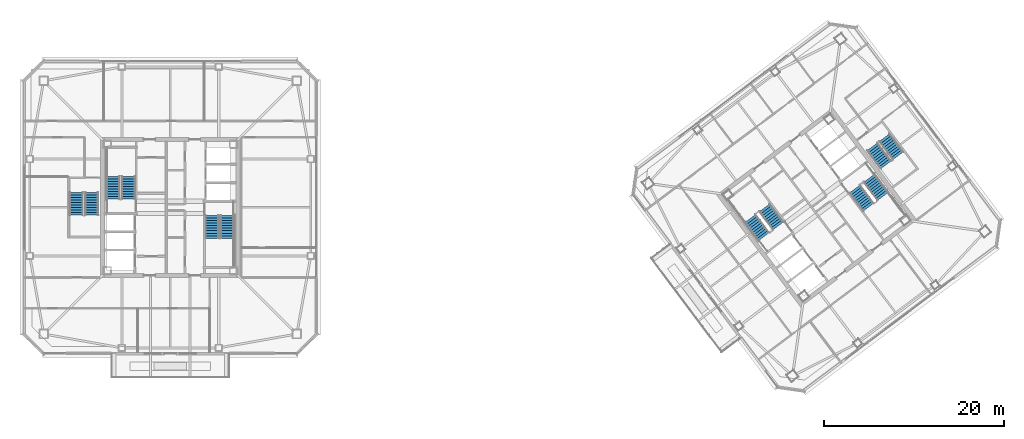
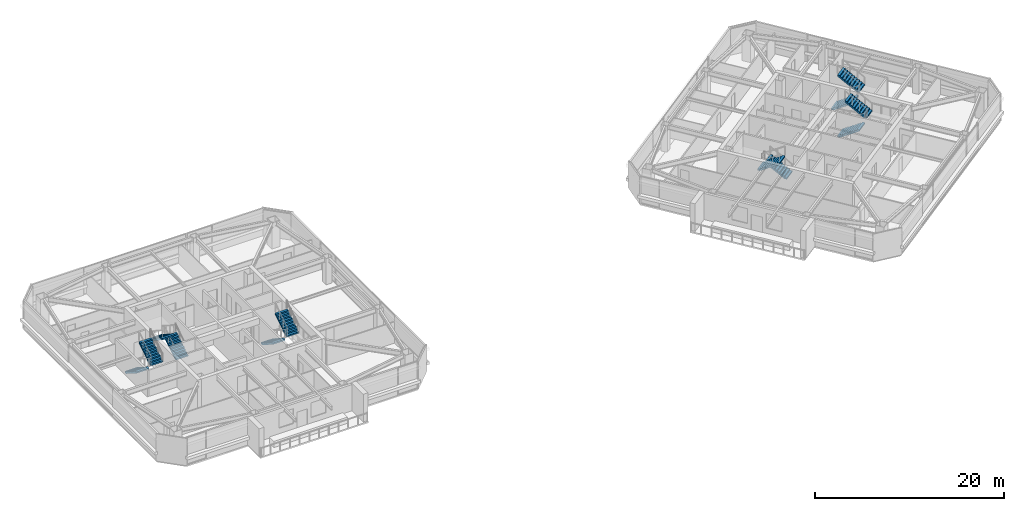
# One storey, part 33 of 40: 12 stair flights, 6 elements without a shape of their own.
"""IFC4 building model written with IfcOpenShell, lengths in metres."""

from ifc_helpers import new_model, si_unit, direction, frame, origin, place, context, subcontext, project, spatial, polyline, outline, extrude, material, type_object, element, aggregate, save


model = new_model("IFC4")

# Units and contexts
model_context = context("Model", 3, precision=1e-05, world=origin(), true_north=direction((0.0, 1.0)))
body_context = subcontext(model_context, "Body", "Model", "MODEL_VIEW")
ifc_project = project(units=[si_unit("LENGTHUNIT", "METRE"), si_unit("AREAUNIT", "SQUARE_METRE"), si_unit("VOLUMEUNIT", "CUBIC_METRE"), si_unit("PLANEANGLEUNIT", "RADIAN"), si_unit("MASSUNIT", "GRAM", prefix="KILO")], contexts=[model_context])

# Site, building, storey
site_placement = place(None, origin())
site = spatial("IfcSite", under=ifc_project, at=site_placement, CompositionType="ELEMENT")
building_placement = place(site_placement, origin())
building = spatial("IfcBuilding", under=site, at=building_placement, Name="Tashvorn Skyway Center", CompositionType="ELEMENT")
storey_placement = place(building_placement, frame((0.0, 0.0, 221.949951171875)))
storey = spatial("IfcBuildingStorey", under=building, at=storey_placement, Name="L60", CompositionType="ELEMENT", Elevation=221.949951171875)

# Stair, stair flights
ifc_material = material(Name="Concrete C40/50", Category="concrete")
stair_type = type_object("IfcStairType", Name="STAIR-CORE-1500", PredefinedType="HALF_TURN_STAIR", material=ifc_material)
stair_1_placement = place(storey_placement, origin())
stair_1 = element("IfcStair", 1, at=stair_1_placement, inside=storey, type_object=stair_type, Name="L60 Tower 1 Exit Stair 1", PredefinedType="HALF_TURN_STAIR")
stair_flight_type = type_object("IfcStairFlightType", Name="SFLIGHT-1500", PredefinedType="STRAIGHT", material=ifc_material)
stair_flight_1_placement = place(storey_placement, frame((37.35009765625, 32.919921875, 0.0), z_axis=(0.0, 0.0, 1.0), x_axis=(0.0, 1.0, 0.0)))
stair_flight_1 = element("IfcStairFlight", 2, at=stair_flight_1_placement, type_object=stair_flight_type, Name="ST-T1-1 flight 1", NumberOfRisers=10, NumberOfTreads=9, PredefinedType="STRAIGHT", RiserHeight=0.1775, TreadLength=0.28, context=body_context, shape_type="SweptSolid", body=[
    extrude(outline(polyline([(0.0, 0.0), (0.0, 0.177490234375), (0.280029296875, 0.177490234375), (0.280029296875, 0.35498046875), (0.56005859375, 0.35498046875), (0.56005859375, 0.532470703125), (0.840087890625, 0.532470703125), (0.840087890625, 0.7099609375), (1.1201171875, 0.7099609375), (1.1201171875, 0.887451171875), (1.39990234375, 0.887451171875), (1.39990234375, 1.06494140625), (1.679931640625, 1.06494140625), (1.679931640625, 1.242431640625), (1.9599609375, 1.242431640625), (1.9599609375, 1.419921875), (2.239990234375, 1.419921875), (2.239990234375, 1.597412109375), (2.52001953125, 1.597412109375), (2.52001953125, 1.77490234375), (2.52001953125, 1.419921875), (0.280029296875, 0.0), (0.0, 0.0)])), frame((0.0, 0.75, 0.0), z_axis=(0.0, -1.0, 0.0), x_axis=(1.0, 0.0, 0.0)), (0.0, 0.0, 1.0), 1.5),
])
stair_flight_2_placement = place(storey_placement, frame((35.64990234375, 35.43994140625, 1.775146484375), z_axis=(0.0, 0.0, 1.0), x_axis=(0.0, -1.0, 0.0)))
stair_flight_2 = element("IfcStairFlight", 3, at=stair_flight_2_placement, type_object=stair_flight_type, Name="ST-T1-1 flight 2", NumberOfRisers=10, NumberOfTreads=9, PredefinedType="STRAIGHT", RiserHeight=0.1775, TreadLength=0.28, context=body_context, shape_type="SweptSolid", body=[
    extrude(outline(polyline([(0.0, 0.0), (0.0, 0.177490234375), (0.280029296875, 0.177490234375), (0.280029296875, 0.35498046875), (0.56005859375, 0.35498046875), (0.56005859375, 0.532470703125), (0.840087890625, 0.532470703125), (0.840087890625, 0.7099609375), (1.1201171875, 0.7099609375), (1.1201171875, 0.887451171875), (1.39990234375, 0.887451171875), (1.39990234375, 1.06494140625), (1.679931640625, 1.06494140625), (1.679931640625, 1.242431640625), (1.9599609375, 1.242431640625), (1.9599609375, 1.419921875), (2.239990234375, 1.419921875), (2.239990234375, 1.597412109375), (2.52001953125, 1.597412109375), (2.52001953125, 1.77490234375), (2.52001953125, 1.419921875), (0.280029296875, 0.0), (0.0, 0.0)])), frame((0.0, 0.75, 0.0), z_axis=(0.0, -1.0, 0.0), x_axis=(1.0, 0.0, 0.0)), (0.0, 0.0, 1.0), 1.5),
])
aggregate(stair_1, [stair_flight_1, stair_flight_2])

stair_2_placement = place(storey_placement, origin())
stair_2 = element("IfcStair", 4, at=stair_2_placement, inside=storey, type_object=stair_type, Name="L60 Tower 1 Exit Stair 2", PredefinedType="HALF_TURN_STAIR")
stair_flight_3_placement = place(storey_placement, frame((46.64990234375, 31.080078125, 0.0), z_axis=(0.0, 0.0, 1.0), x_axis=(0.0, -1.0, 0.0)))
stair_flight_3 = element("IfcStairFlight", 5, at=stair_flight_3_placement, type_object=stair_flight_type, Name="ST-T1-2 flight 1", NumberOfRisers=10, NumberOfTreads=9, PredefinedType="STRAIGHT", RiserHeight=0.1775, TreadLength=0.28, context=body_context, shape_type="SweptSolid", body=[
    extrude(outline(polyline([(0.0, 0.0), (0.0, 0.177490234375), (0.280029296875, 0.177490234375), (0.280029296875, 0.35498046875), (0.56005859375, 0.35498046875), (0.56005859375, 0.532470703125), (0.840087890625, 0.532470703125), (0.840087890625, 0.7099609375), (1.1201171875, 0.7099609375), (1.1201171875, 0.887451171875), (1.39990234375, 0.887451171875), (1.39990234375, 1.06494140625), (1.679931640625, 1.06494140625), (1.679931640625, 1.242431640625), (1.9599609375, 1.242431640625), (1.9599609375, 1.419921875), (2.239990234375, 1.419921875), (2.239990234375, 1.597412109375), (2.52001953125, 1.597412109375), (2.52001953125, 1.77490234375), (2.52001953125, 1.419921875), (0.280029296875, 0.0), (0.0, 0.0)])), frame((0.0, 0.75, 0.0), z_axis=(0.0, -1.0, 0.0), x_axis=(1.0, 0.0, 0.0)), (0.0, 0.0, 1.0), 1.5),
])
stair_flight_4_placement = place(storey_placement, frame((48.35009765625, 28.56005859375, 1.775146484375), z_axis=(0.0, 0.0, 1.0), x_axis=(0.0, 1.0, 0.0)))
stair_flight_4 = element("IfcStairFlight", 6, at=stair_flight_4_placement, type_object=stair_flight_type, Name="ST-T1-2 flight 2", NumberOfRisers=10, NumberOfTreads=9, PredefinedType="STRAIGHT", RiserHeight=0.1775, TreadLength=0.28, context=body_context, shape_type="SweptSolid", body=[
    extrude(outline(polyline([(0.0, 0.0), (0.0, 0.177490234375), (0.280029296875, 0.177490234375), (0.280029296875, 0.35498046875), (0.56005859375, 0.35498046875), (0.56005859375, 0.532470703125), (0.840087890625, 0.532470703125), (0.840087890625, 0.7099609375), (1.1201171875, 0.7099609375), (1.1201171875, 0.887451171875), (1.39990234375, 0.887451171875), (1.39990234375, 1.06494140625), (1.679931640625, 1.06494140625), (1.679931640625, 1.242431640625), (1.9599609375, 1.242431640625), (1.9599609375, 1.419921875), (2.239990234375, 1.419921875), (2.239990234375, 1.597412109375), (2.52001953125, 1.597412109375), (2.52001953125, 1.77490234375), (2.52001953125, 1.419921875), (0.280029296875, 0.0), (0.0, 0.0)])), frame((0.0, 0.75, 0.0), z_axis=(0.0, -1.0, 0.0), x_axis=(1.0, 0.0, 0.0)), (0.0, 0.0, 1.0), 1.5),
])
aggregate(stair_2, [stair_flight_3, stair_flight_4])

stair_3_placement = place(storey_placement, origin())
stair_3 = element("IfcStair", 7, at=stair_3_placement, inside=storey, type_object=stair_type, Name="L60 Tower 2 Exit Stair 1", PredefinedType="HALF_TURN_STAIR")
stair_flight_5_placement = place(storey_placement, frame((109.72802734375, 29.946044921875, 0.0), z_axis=(0.0, 0.0, 1.0), x_axis=(-0.600000004945, 0.799999996291, 0.0)))
stair_flight_5 = element("IfcStairFlight", 8, at=stair_flight_5_placement, type_object=stair_flight_type, Name="ST-T2-1 flight 1", NumberOfRisers=10, NumberOfTreads=9, PredefinedType="STRAIGHT", RiserHeight=0.1775, TreadLength=0.28, context=body_context, shape_type="SweptSolid", body=[
    extrude(outline(polyline([(0.0, 0.0), (0.0, 0.177490234375), (0.280029296875, 0.177490234375), (0.280029296875, 0.35498046875), (0.56005859375, 0.35498046875), (0.56005859375, 0.532470703125), (0.840087890625, 0.532470703125), (0.840087890625, 0.7099609375), (1.1201171875, 0.7099609375), (1.1201171875, 0.887451171875), (1.39990234375, 0.887451171875), (1.39990234375, 1.06494140625), (1.679931640625, 1.06494140625), (1.679931640625, 1.242431640625), (1.9599609375, 1.242431640625), (1.9599609375, 1.419921875), (2.239990234375, 1.419921875), (2.239990234375, 1.597412109375), (2.52001953125, 1.597412109375), (2.52001953125, 1.77490234375), (2.52001953125, 1.419921875), (0.280029296875, 0.0), (0.0, 0.0)])), frame((0.0, 0.75, 0.0), z_axis=(0.0, -1.0, 0.0), x_axis=(1.0, 0.0, 0.0)), (0.0, 0.0, 1.0), 1.5),
])
stair_flight_6_placement = place(storey_placement, frame((106.632080078125, 30.77392578125, 1.775146484375), z_axis=(0.0, 0.0, 1.0), x_axis=(0.600000004945, -0.799999996291, 0.0)))
stair_flight_6 = element("IfcStairFlight", 9, at=stair_flight_6_placement, type_object=stair_flight_type, Name="ST-T2-1 flight 2", NumberOfRisers=10, NumberOfTreads=9, PredefinedType="STRAIGHT", RiserHeight=0.1775, TreadLength=0.28, context=body_context, shape_type="SweptSolid", body=[
    extrude(outline(polyline([(0.0, 0.0), (0.0, 0.177490234375), (0.280029296875, 0.177490234375), (0.280029296875, 0.35498046875), (0.56005859375, 0.35498046875), (0.56005859375, 0.532470703125), (0.840087890625, 0.532470703125), (0.840087890625, 0.7099609375), (1.1201171875, 0.7099609375), (1.1201171875, 0.887451171875), (1.39990234375, 0.887451171875), (1.39990234375, 1.06494140625), (1.679931640625, 1.06494140625), (1.679931640625, 1.242431640625), (1.9599609375, 1.242431640625), (1.9599609375, 1.419921875), (2.239990234375, 1.419921875), (2.239990234375, 1.597412109375), (2.52001953125, 1.597412109375), (2.52001953125, 1.77490234375), (2.52001953125, 1.419921875), (0.280029296875, 0.0), (0.0, 0.0)])), frame((0.0, 0.75, 0.0), z_axis=(0.0, -1.0, 0.0), x_axis=(1.0, 0.0, 0.0)), (0.0, 0.0, 1.0), 1.5),
])
aggregate(stair_3, [stair_flight_5, stair_flight_6])

stair_4_placement = place(storey_placement, origin())
stair_4 = element("IfcStair", 10, at=stair_4_placement, inside=storey, type_object=stair_type, Name="L60 Tower 2 Exit Stair 2", PredefinedType="HALF_TURN_STAIR")
stair_flight_7_placement = place(storey_placement, frame((118.27197265625, 34.053955078125, 0.0), z_axis=(0.0, 0.0, 1.0), x_axis=(0.600000004945, -0.799999996291, 0.0)))
stair_flight_7 = element("IfcStairFlight", 11, at=stair_flight_7_placement, type_object=stair_flight_type, Name="ST-T2-2 flight 1", NumberOfRisers=10, NumberOfTreads=9, PredefinedType="STRAIGHT", RiserHeight=0.1775, TreadLength=0.28, context=body_context, shape_type="SweptSolid", body=[
    extrude(outline(polyline([(0.0, 0.0), (0.0, 0.177490234375), (0.280029296875, 0.177490234375), (0.280029296875, 0.35498046875), (0.56005859375, 0.35498046875), (0.56005859375, 0.532470703125), (0.840087890625, 0.532470703125), (0.840087890625, 0.7099609375), (1.1201171875, 0.7099609375), (1.1201171875, 0.887451171875), (1.39990234375, 0.887451171875), (1.39990234375, 1.06494140625), (1.679931640625, 1.06494140625), (1.679931640625, 1.242431640625), (1.9599609375, 1.242431640625), (1.9599609375, 1.419921875), (2.239990234375, 1.419921875), (2.239990234375, 1.597412109375), (2.52001953125, 1.597412109375), (2.52001953125, 1.77490234375), (2.52001953125, 1.419921875), (0.280029296875, 0.0), (0.0, 0.0)])), frame((0.0, 0.75, 0.0), z_axis=(0.0, -1.0, 0.0), x_axis=(1.0, 0.0, 0.0)), (0.0, 0.0, 1.0), 1.5),
])
stair_flight_8_placement = place(storey_placement, frame((121.367919921875, 33.22607421875, 1.775146484375), z_axis=(0.0, 0.0, 1.0), x_axis=(-0.600000004945, 0.799999996291, 0.0)))
stair_flight_8 = element("IfcStairFlight", 12, at=stair_flight_8_placement, type_object=stair_flight_type, Name="ST-T2-2 flight 2", NumberOfRisers=10, NumberOfTreads=9, PredefinedType="STRAIGHT", RiserHeight=0.1775, TreadLength=0.28, context=body_context, shape_type="SweptSolid", body=[
    extrude(outline(polyline([(0.0, 0.0), (0.0, 0.177490234375), (0.280029296875, 0.177490234375), (0.280029296875, 0.35498046875), (0.56005859375, 0.35498046875), (0.56005859375, 0.532470703125), (0.840087890625, 0.532470703125), (0.840087890625, 0.7099609375), (1.1201171875, 0.7099609375), (1.1201171875, 0.887451171875), (1.39990234375, 0.887451171875), (1.39990234375, 1.06494140625), (1.679931640625, 1.06494140625), (1.679931640625, 1.242431640625), (1.9599609375, 1.242431640625), (1.9599609375, 1.419921875), (2.239990234375, 1.419921875), (2.239990234375, 1.597412109375), (2.52001953125, 1.597412109375), (2.52001953125, 1.77490234375), (2.52001953125, 1.419921875), (0.280029296875, 0.0), (0.0, 0.0)])), frame((0.0, 0.75, 0.0), z_axis=(0.0, -1.0, 0.0), x_axis=(1.0, 0.0, 0.0)), (0.0, 0.0, 1.0), 1.5),
])
aggregate(stair_4, [stair_flight_7, stair_flight_8])

stair_5_placement = place(storey_placement, origin())
stair_5 = element("IfcStair", 13, at=stair_5_placement, inside=storey, type_object=stair_type, Name="L60 Tower 1 Exit Stair 3", PredefinedType="HALF_TURN_STAIR")
stair_flight_9_placement = place(storey_placement, frame((31.550048828125, 33.679931640625, 0.0), z_axis=(0.0, 0.0, 1.0), x_axis=(0.0, -1.0, 0.0)))
stair_flight_9 = element("IfcStairFlight", 14, at=stair_flight_9_placement, type_object=stair_flight_type, Name="ST-T1-3 flight 1", NumberOfRisers=10, NumberOfTreads=9, PredefinedType="STRAIGHT", RiserHeight=0.1775, TreadLength=0.28, context=body_context, shape_type="SweptSolid", body=[
    extrude(outline(polyline([(0.0, 0.0), (0.0, 0.177490234375), (0.280029296875, 0.177490234375), (0.280029296875, 0.35498046875), (0.56005859375, 0.35498046875), (0.56005859375, 0.532470703125), (0.840087890625, 0.532470703125), (0.840087890625, 0.7099609375), (1.1201171875, 0.7099609375), (1.1201171875, 0.887451171875), (1.39990234375, 0.887451171875), (1.39990234375, 1.06494140625), (1.679931640625, 1.06494140625), (1.679931640625, 1.242431640625), (1.9599609375, 1.242431640625), (1.9599609375, 1.419921875), (2.239990234375, 1.419921875), (2.239990234375, 1.597412109375), (2.52001953125, 1.597412109375), (2.52001953125, 1.77490234375), (2.52001953125, 1.419921875), (0.280029296875, 0.0), (0.0, 0.0)])), frame((0.0, 0.75, 0.0), z_axis=(0.0, -1.0, 0.0), x_axis=(1.0, 0.0, 0.0)), (0.0, 0.0, 1.0), 1.5),
])
stair_flight_10_placement = place(storey_placement, frame((33.25, 31.159912109375, 1.775146484375), z_axis=(0.0, 0.0, 1.0), x_axis=(0.0, 1.0, 0.0)))
stair_flight_10 = element("IfcStairFlight", 15, at=stair_flight_10_placement, type_object=stair_flight_type, Name="ST-T1-3 flight 2", NumberOfRisers=10, NumberOfTreads=9, PredefinedType="STRAIGHT", RiserHeight=0.1775, TreadLength=0.28, context=body_context, shape_type="SweptSolid", body=[
    extrude(outline(polyline([(0.0, 0.0), (0.0, 0.177490234375), (0.280029296875, 0.177490234375), (0.280029296875, 0.35498046875), (0.56005859375, 0.35498046875), (0.56005859375, 0.532470703125), (0.840087890625, 0.532470703125), (0.840087890625, 0.7099609375), (1.1201171875, 0.7099609375), (1.1201171875, 0.887451171875), (1.39990234375, 0.887451171875), (1.39990234375, 1.06494140625), (1.679931640625, 1.06494140625), (1.679931640625, 1.242431640625), (1.9599609375, 1.242431640625), (1.9599609375, 1.419921875), (2.239990234375, 1.419921875), (2.239990234375, 1.597412109375), (2.52001953125, 1.597412109375), (2.52001953125, 1.77490234375), (2.52001953125, 1.419921875), (0.280029296875, 0.0), (0.0, 0.0)])), frame((0.0, 0.75, 0.0), z_axis=(0.0, -1.0, 0.0), x_axis=(1.0, 0.0, 0.0)), (0.0, 0.0, 1.0), 1.5),
])
aggregate(stair_5, [stair_flight_9, stair_flight_10])

stair_6_placement = place(storey_placement, origin())
stair_6 = element("IfcStair", 16, at=stair_6_placement, inside=storey, type_object=stair_type, Name="L60 Tower 2 Exit Stair 3", PredefinedType="HALF_TURN_STAIR")
stair_flight_11_placement = place(storey_placement, frame((120.216064453125, 38.761962890625, 0.0), z_axis=(0.0, 0.0, 1.0), x_axis=(0.600000004945, -0.799999996291, 0.0)))
stair_flight_11 = element("IfcStairFlight", 17, at=stair_flight_11_placement, type_object=stair_flight_type, Name="ST-T2-3 flight 1", NumberOfRisers=10, NumberOfTreads=9, PredefinedType="STRAIGHT", RiserHeight=0.1775, TreadLength=0.28, context=body_context, shape_type="SweptSolid", body=[
    extrude(outline(polyline([(0.0, 0.0), (0.0, 0.177490234375), (0.280029296875, 0.177490234375), (0.280029296875, 0.35498046875), (0.56005859375, 0.35498046875), (0.56005859375, 0.532470703125), (0.840087890625, 0.532470703125), (0.840087890625, 0.7099609375), (1.1201171875, 0.7099609375), (1.1201171875, 0.887451171875), (1.39990234375, 0.887451171875), (1.39990234375, 1.06494140625), (1.679931640625, 1.06494140625), (1.679931640625, 1.242431640625), (1.9599609375, 1.242431640625), (1.9599609375, 1.419921875), (2.239990234375, 1.419921875), (2.239990234375, 1.597412109375), (2.52001953125, 1.597412109375), (2.52001953125, 1.77490234375), (2.52001953125, 1.419921875), (0.280029296875, 0.0), (0.0, 0.0)])), frame((0.0, 0.75, 0.0), z_axis=(0.0, -1.0, 0.0), x_axis=(1.0, 0.0, 0.0)), (0.0, 0.0, 1.0), 1.5),
])
stair_flight_12_placement = place(storey_placement, frame((123.087890625, 37.76611328125, 1.775146484375), z_axis=(0.0, 0.0, 1.0), x_axis=(-0.600000004945, 0.799999996291, 0.0)))
stair_flight_12 = element("IfcStairFlight", 18, at=stair_flight_12_placement, type_object=stair_flight_type, Name="ST-T2-3 flight 2", NumberOfRisers=10, NumberOfTreads=9, PredefinedType="STRAIGHT", RiserHeight=0.1775, TreadLength=0.28, context=body_context, shape_type="SweptSolid", body=[
    extrude(outline(polyline([(0.0, 0.0), (0.0, 0.177490234375), (0.280029296875, 0.177490234375), (0.280029296875, 0.35498046875), (0.56005859375, 0.35498046875), (0.56005859375, 0.532470703125), (0.840087890625, 0.532470703125), (0.840087890625, 0.7099609375), (1.1201171875, 0.7099609375), (1.1201171875, 0.887451171875), (1.39990234375, 0.887451171875), (1.39990234375, 1.06494140625), (1.679931640625, 1.06494140625), (1.679931640625, 1.242431640625), (1.9599609375, 1.242431640625), (1.9599609375, 1.419921875), (2.239990234375, 1.419921875), (2.239990234375, 1.597412109375), (2.52001953125, 1.597412109375), (2.52001953125, 1.77490234375), (2.52001953125, 1.419921875), (0.280029296875, 0.0), (0.0, 0.0)])), frame((0.0, 0.75, 0.0), z_axis=(0.0, -1.0, 0.0), x_axis=(1.0, 0.0, 0.0)), (0.0, 0.0, 1.0), 1.5),
])
aggregate(stair_6, [stair_flight_11, stair_flight_12])

save(model, "model.ifc")
